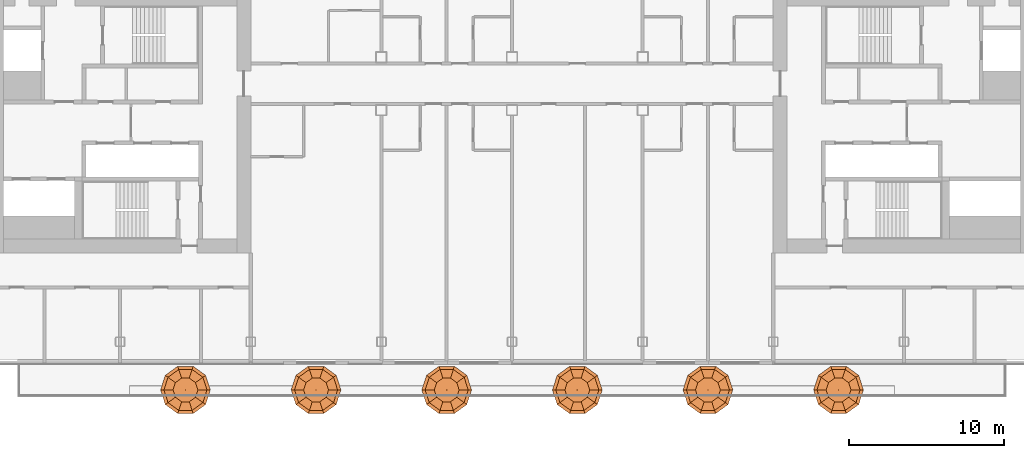
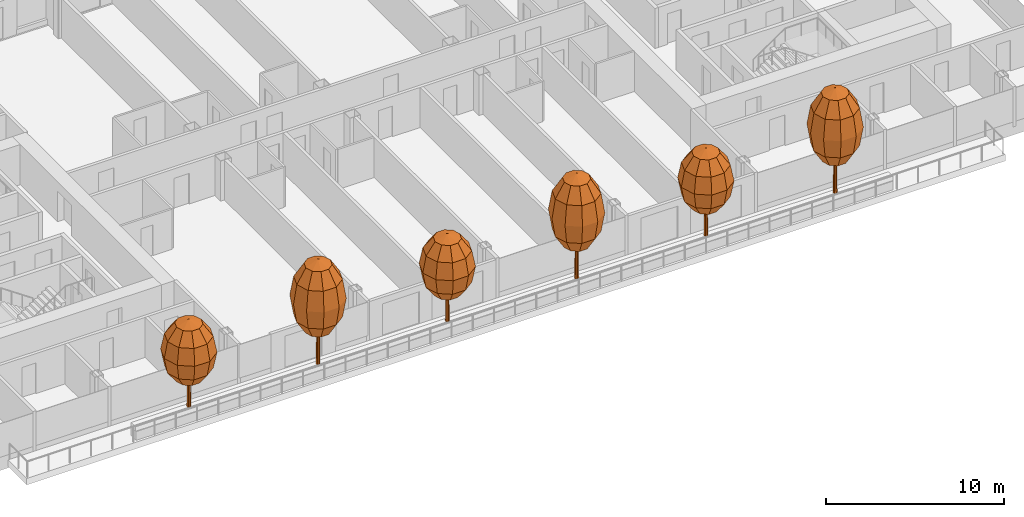
# One storey, part 27 of 28: 6 geographic elements.
"""IFC4 building model written with IfcOpenShell, lengths in metres."""

from ifc_helpers import new_model, si_unit, direction, frame, origin, place, context, subcontext, project, spatial, triangles, material, type_object, element, save


model = new_model("IFC4")

# Units and contexts
model_context = context("Model", 3, precision=1e-05, world=origin(), true_north=direction((0.0, 1.0)))
body_context = subcontext(model_context, "Body", "Model", "MODEL_VIEW")
ifc_project = project(units=[si_unit("LENGTHUNIT", "METRE"), si_unit("AREAUNIT", "SQUARE_METRE"), si_unit("VOLUMEUNIT", "CUBIC_METRE"), si_unit("PLANEANGLEUNIT", "RADIAN"), si_unit("MASSUNIT", "GRAM", prefix="KILO")], contexts=[model_context])

# Site, building, storey
site_placement = place(None, origin())
site = spatial("IfcSite", under=ifc_project, at=site_placement, CompositionType="ELEMENT")
building_placement = place(site_placement, origin())
building = spatial("IfcBuilding", under=site, at=building_placement, Name="Hakoniwa Tower and Hamabe Station Hall", CompositionType="ELEMENT")
storey_placement = place(building_placement, frame((0.0, 0.0, 193.0)))
storey = spatial("IfcBuildingStorey", under=building, at=storey_placement, Name="L54", CompositionType="ELEMENT", Elevation=193.0)

# Geographic elements
ifc_material_1 = material(Name="Tree foliage")
geographic_element_type_1 = type_object("IfcGeographicElementType", Name="Japanese maple 7.2 m", PredefinedType="USERDEFINED", material=ifc_material_1)
geographic_element_1_placement = place(storey_placement, frame((-12.60009765625, -17.199951171875, 0.89990234375)))
element("IfcGeographicElement", 1, at=geographic_element_1_placement, inside=storey, type_object=geographic_element_type_1, Name="Japanese maple 7-2 m", ObjectType="TREE", PredefinedType="USERDEFINED", context=body_context, shape_type="Tessellation", body=[
    triangles([(0.125, 0.0, 0.0), (0.08837890625, 0.08837890625, 0.0), (0.0, 0.125, 0.0), (-0.08837890625, 0.08837890625, 0.0), (-0.125, 0.0, 0.0), (-0.08837890625, -0.08837890625, 0.0), (0.0, -0.125, 0.0), (0.08837890625, -0.08837890625, 0.0), (0.074951171875, 0.0, 4.348876953125), (0.052978515625, 0.052978515625, 4.348876953125), (0.0, 0.074951171875, 4.348876953125), (-0.052978515625, 0.052978515625, 4.348876953125), (-0.074951171875, 0.0, 4.348876953125), (-0.052978515625, -0.052978515625, 4.348876953125), (0.0, -0.074951171875, 4.348876953125), (0.052978515625, -0.052978515625, 4.348876953125), (0.0, 0.0, 0.0), (0.0, 0.0, 4.348876953125)], [[1, 2, 10], [1, 10, 9], [17, 2, 1], [18, 9, 10], [2, 3, 11], [2, 11, 10], [17, 3, 2], [18, 10, 11], [3, 4, 12], [3, 12, 11], [17, 4, 3], [18, 11, 12], [4, 5, 13], [4, 13, 12], [17, 5, 4], [18, 12, 13], [5, 6, 14], [5, 14, 13], [17, 6, 5], [18, 13, 14], [6, 7, 15], [6, 15, 14], [17, 7, 6], [18, 14, 15], [7, 8, 16], [7, 16, 15], [17, 8, 7], [18, 15, 16], [8, 1, 9], [8, 9, 16], [17, 1, 8], [18, 16, 9]], closed=True),
    triangles([(0.0, 0.0, 2.015869140625), (0.800048828125, 0.0, 2.36328125), (0.647216796875, 0.47021484375, 2.36328125), (0.247314453125, 0.7607421875, 2.36328125), (-0.247314453125, 0.7607421875, 2.36328125), (-0.647216796875, 0.47021484375, 2.36328125), (-0.800048828125, 0.0, 2.36328125), (-0.647216796875, -0.47021484375, 2.36328125), (-0.247314453125, -0.7607421875, 2.36328125), (0.247314453125, -0.7607421875, 2.36328125), (0.647216796875, -0.47021484375, 2.36328125), (1.385498046875, 0.0, 3.31201171875), (1.12109375, 0.814453125, 3.31201171875), (0.42822265625, 1.31787109375, 3.31201171875), (-0.42822265625, 1.31787109375, 3.31201171875), (-1.12109375, 0.814453125, 3.31201171875), (-1.385498046875, 0.0, 3.31201171875), (-1.12109375, -0.814453125, 3.31201171875), (-0.42822265625, -1.31787109375, 3.31201171875), (0.42822265625, -1.31787109375, 3.31201171875), (1.12109375, -0.814453125, 3.31201171875), (1.60009765625, 0.0, 4.60791015625), (1.29443359375, 0.9404296875, 4.60791015625), (0.494384765625, 1.521728515625, 4.60791015625), (-0.494384765625, 1.521728515625, 4.60791015625), (-1.29443359375, 0.9404296875, 4.60791015625), (-1.60009765625, 0.0, 4.60791015625), (-1.29443359375, -0.9404296875, 4.60791015625), (-0.494384765625, -1.521728515625, 4.60791015625), (0.494384765625, -1.521728515625, 4.60791015625), (1.29443359375, -0.9404296875, 4.60791015625), (1.385498046875, 0.0, 5.904052734375), (1.12109375, 0.814453125, 5.904052734375), (0.42822265625, 1.31787109375, 5.904052734375), (-0.42822265625, 1.31787109375, 5.904052734375), (-1.12109375, 0.814453125, 5.904052734375), (-1.385498046875, 0.0, 5.904052734375), (-1.12109375, -0.814453125, 5.904052734375), (-0.42822265625, -1.31787109375, 5.904052734375), (0.42822265625, -1.31787109375, 5.904052734375), (1.12109375, -0.814453125, 5.904052734375), (0.800048828125, 0.0, 6.852783203125), (0.647216796875, 0.47021484375, 6.852783203125), (0.247314453125, 0.7607421875, 6.852783203125), (-0.247314453125, 0.7607421875, 6.852783203125), (-0.647216796875, 0.47021484375, 6.852783203125), (-0.800048828125, 0.0, 6.852783203125), (-0.647216796875, -0.47021484375, 6.852783203125), (-0.247314453125, -0.7607421875, 6.852783203125), (0.247314453125, -0.7607421875, 6.852783203125), (0.647216796875, -0.47021484375, 6.852783203125), (0.0, 0.0, 7.199951171875)], [[1, 3, 2], [1, 4, 3], [1, 5, 4], [1, 6, 5], [1, 7, 6], [1, 8, 7], [1, 9, 8], [1, 10, 9], [1, 11, 10], [1, 2, 11], [2, 3, 13], [2, 13, 12], [3, 4, 14], [3, 14, 13], [4, 5, 15], [4, 15, 14], [5, 6, 16], [5, 16, 15], [6, 7, 17], [6, 17, 16], [7, 8, 18], [7, 18, 17], [8, 9, 19], [8, 19, 18], [9, 10, 20], [9, 20, 19], [10, 11, 21], [10, 21, 20], [11, 2, 12], [11, 12, 21], [12, 13, 23], [12, 23, 22], [13, 14, 24], [13, 24, 23], [14, 15, 25], [14, 25, 24], [15, 16, 26], [15, 26, 25], [16, 17, 27], [16, 27, 26], [17, 18, 28], [17, 28, 27], [18, 19, 29], [18, 29, 28], [19, 20, 30], [19, 30, 29], [20, 21, 31], [20, 31, 30], [21, 12, 22], [21, 22, 31], [22, 23, 33], [22, 33, 32], [23, 24, 34], [23, 34, 33], [24, 25, 35], [24, 35, 34], [25, 26, 36], [25, 36, 35], [26, 27, 37], [26, 37, 36], [27, 28, 38], [27, 38, 37], [28, 29, 39], [28, 39, 38], [29, 30, 40], [29, 40, 39], [30, 31, 41], [30, 41, 40], [31, 22, 32], [31, 32, 41], [32, 33, 43], [32, 43, 42], [33, 34, 44], [33, 44, 43], [34, 35, 45], [34, 45, 44], [35, 36, 46], [35, 46, 45], [36, 37, 47], [36, 47, 46], [37, 38, 48], [37, 48, 47], [38, 39, 49], [38, 49, 48], [39, 40, 50], [39, 50, 49], [40, 41, 51], [40, 51, 50], [41, 32, 42], [41, 42, 51], [52, 42, 43], [52, 43, 44], [52, 44, 45], [52, 45, 46], [52, 46, 47], [52, 47, 48], [52, 48, 49], [52, 49, 50], [52, 50, 51], [52, 51, 42]], closed=True),
])
geographic_element_2_placement = place(storey_placement, frame((4.199951171875, -17.199951171875, 0.89990234375)))
element("IfcGeographicElement", 2, at=geographic_element_2_placement, inside=storey, type_object=geographic_element_type_1, Name="Japanese maple 7-2 m", ObjectType="TREE", PredefinedType="USERDEFINED", context=body_context, shape_type="Tessellation", body=[
    triangles([(0.125, 0.0, 0.0), (0.08837890625, 0.08837890625, 0.0), (0.0, 0.125, 0.0), (-0.08837890625, 0.08837890625, 0.0), (-0.125, 0.0, 0.0), (-0.08837890625, -0.08837890625, 0.0), (0.0, -0.125, 0.0), (0.08837890625, -0.08837890625, 0.0), (0.074951171875, 0.0, 4.348876953125), (0.052978515625, 0.052978515625, 4.348876953125), (0.0, 0.074951171875, 4.348876953125), (-0.052978515625, 0.052978515625, 4.348876953125), (-0.074951171875, 0.0, 4.348876953125), (-0.052978515625, -0.052978515625, 4.348876953125), (0.0, -0.074951171875, 4.348876953125), (0.052978515625, -0.052978515625, 4.348876953125), (0.0, 0.0, 0.0), (0.0, 0.0, 4.348876953125)], [[1, 2, 10], [1, 10, 9], [17, 2, 1], [18, 9, 10], [2, 3, 11], [2, 11, 10], [17, 3, 2], [18, 10, 11], [3, 4, 12], [3, 12, 11], [17, 4, 3], [18, 11, 12], [4, 5, 13], [4, 13, 12], [17, 5, 4], [18, 12, 13], [5, 6, 14], [5, 14, 13], [17, 6, 5], [18, 13, 14], [6, 7, 15], [6, 15, 14], [17, 7, 6], [18, 14, 15], [7, 8, 16], [7, 16, 15], [17, 8, 7], [18, 15, 16], [8, 1, 9], [8, 9, 16], [17, 1, 8], [18, 16, 9]], closed=True),
    triangles([(0.0, 0.0, 2.015869140625), (0.800048828125, 0.0, 2.36328125), (0.647216796875, 0.47021484375, 2.36328125), (0.247314453125, 0.7607421875, 2.36328125), (-0.247314453125, 0.7607421875, 2.36328125), (-0.647216796875, 0.47021484375, 2.36328125), (-0.800048828125, 0.0, 2.36328125), (-0.647216796875, -0.47021484375, 2.36328125), (-0.247314453125, -0.7607421875, 2.36328125), (0.247314453125, -0.7607421875, 2.36328125), (0.647216796875, -0.47021484375, 2.36328125), (1.385498046875, 0.0, 3.31201171875), (1.12109375, 0.814453125, 3.31201171875), (0.42822265625, 1.31787109375, 3.31201171875), (-0.42822265625, 1.31787109375, 3.31201171875), (-1.12109375, 0.814453125, 3.31201171875), (-1.385498046875, 0.0, 3.31201171875), (-1.12109375, -0.814453125, 3.31201171875), (-0.42822265625, -1.31787109375, 3.31201171875), (0.42822265625, -1.31787109375, 3.31201171875), (1.12109375, -0.814453125, 3.31201171875), (1.60009765625, 0.0, 4.60791015625), (1.29443359375, 0.9404296875, 4.60791015625), (0.494384765625, 1.521728515625, 4.60791015625), (-0.494384765625, 1.521728515625, 4.60791015625), (-1.29443359375, 0.9404296875, 4.60791015625), (-1.60009765625, 0.0, 4.60791015625), (-1.29443359375, -0.9404296875, 4.60791015625), (-0.494384765625, -1.521728515625, 4.60791015625), (0.494384765625, -1.521728515625, 4.60791015625), (1.29443359375, -0.9404296875, 4.60791015625), (1.385498046875, 0.0, 5.904052734375), (1.12109375, 0.814453125, 5.904052734375), (0.42822265625, 1.31787109375, 5.904052734375), (-0.42822265625, 1.31787109375, 5.904052734375), (-1.12109375, 0.814453125, 5.904052734375), (-1.385498046875, 0.0, 5.904052734375), (-1.12109375, -0.814453125, 5.904052734375), (-0.42822265625, -1.31787109375, 5.904052734375), (0.42822265625, -1.31787109375, 5.904052734375), (1.12109375, -0.814453125, 5.904052734375), (0.800048828125, 0.0, 6.852783203125), (0.647216796875, 0.47021484375, 6.852783203125), (0.247314453125, 0.7607421875, 6.852783203125), (-0.247314453125, 0.7607421875, 6.852783203125), (-0.647216796875, 0.47021484375, 6.852783203125), (-0.800048828125, 0.0, 6.852783203125), (-0.647216796875, -0.47021484375, 6.852783203125), (-0.247314453125, -0.7607421875, 6.852783203125), (0.247314453125, -0.7607421875, 6.852783203125), (0.647216796875, -0.47021484375, 6.852783203125), (0.0, 0.0, 7.199951171875)], [[1, 3, 2], [1, 4, 3], [1, 5, 4], [1, 6, 5], [1, 7, 6], [1, 8, 7], [1, 9, 8], [1, 10, 9], [1, 11, 10], [1, 2, 11], [2, 3, 13], [2, 13, 12], [3, 4, 14], [3, 14, 13], [4, 5, 15], [4, 15, 14], [5, 6, 16], [5, 16, 15], [6, 7, 17], [6, 17, 16], [7, 8, 18], [7, 18, 17], [8, 9, 19], [8, 19, 18], [9, 10, 20], [9, 20, 19], [10, 11, 21], [10, 21, 20], [11, 2, 12], [11, 12, 21], [12, 13, 23], [12, 23, 22], [13, 14, 24], [13, 24, 23], [14, 15, 25], [14, 25, 24], [15, 16, 26], [15, 26, 25], [16, 17, 27], [16, 27, 26], [17, 18, 28], [17, 28, 27], [18, 19, 29], [18, 29, 28], [19, 20, 30], [19, 30, 29], [20, 21, 31], [20, 31, 30], [21, 12, 22], [21, 22, 31], [22, 23, 33], [22, 33, 32], [23, 24, 34], [23, 34, 33], [24, 25, 35], [24, 35, 34], [25, 26, 36], [25, 36, 35], [26, 27, 37], [26, 37, 36], [27, 28, 38], [27, 38, 37], [28, 29, 39], [28, 39, 38], [29, 30, 40], [29, 40, 39], [30, 31, 41], [30, 41, 40], [31, 22, 32], [31, 32, 41], [32, 33, 43], [32, 43, 42], [33, 34, 44], [33, 44, 43], [34, 35, 45], [34, 45, 44], [35, 36, 46], [35, 46, 45], [36, 37, 47], [36, 47, 46], [37, 38, 48], [37, 48, 47], [38, 39, 49], [38, 49, 48], [39, 40, 50], [39, 50, 49], [40, 41, 51], [40, 51, 50], [41, 32, 42], [41, 42, 51], [52, 42, 43], [52, 43, 44], [52, 44, 45], [52, 45, 46], [52, 46, 47], [52, 47, 48], [52, 48, 49], [52, 49, 50], [52, 50, 51], [52, 51, 42]], closed=True),
])
geographic_element_3_placement = place(storey_placement, frame((21.0, -17.199951171875, 0.89990234375)))
element("IfcGeographicElement", 3, at=geographic_element_3_placement, inside=storey, type_object=geographic_element_type_1, Name="Japanese maple 7-2 m", ObjectType="TREE", PredefinedType="USERDEFINED", context=body_context, shape_type="Tessellation", body=[
    triangles([(0.125, 0.0, 0.0), (0.08837890625, 0.08837890625, 0.0), (0.0, 0.125, 0.0), (-0.08837890625, 0.08837890625, 0.0), (-0.125, 0.0, 0.0), (-0.08837890625, -0.08837890625, 0.0), (0.0, -0.125, 0.0), (0.08837890625, -0.08837890625, 0.0), (0.074951171875, 0.0, 4.348876953125), (0.052978515625, 0.052978515625, 4.348876953125), (0.0, 0.074951171875, 4.348876953125), (-0.052978515625, 0.052978515625, 4.348876953125), (-0.074951171875, 0.0, 4.348876953125), (-0.052978515625, -0.052978515625, 4.348876953125), (0.0, -0.074951171875, 4.348876953125), (0.052978515625, -0.052978515625, 4.348876953125), (0.0, 0.0, 0.0), (0.0, 0.0, 4.348876953125)], [[1, 2, 10], [1, 10, 9], [17, 2, 1], [18, 9, 10], [2, 3, 11], [2, 11, 10], [17, 3, 2], [18, 10, 11], [3, 4, 12], [3, 12, 11], [17, 4, 3], [18, 11, 12], [4, 5, 13], [4, 13, 12], [17, 5, 4], [18, 12, 13], [5, 6, 14], [5, 14, 13], [17, 6, 5], [18, 13, 14], [6, 7, 15], [6, 15, 14], [17, 7, 6], [18, 14, 15], [7, 8, 16], [7, 16, 15], [17, 8, 7], [18, 15, 16], [8, 1, 9], [8, 9, 16], [17, 1, 8], [18, 16, 9]], closed=True),
    triangles([(0.0, 0.0, 2.015869140625), (0.800048828125, 0.0, 2.36328125), (0.647216796875, 0.47021484375, 2.36328125), (0.247314453125, 0.7607421875, 2.36328125), (-0.247314453125, 0.7607421875, 2.36328125), (-0.647216796875, 0.47021484375, 2.36328125), (-0.800048828125, 0.0, 2.36328125), (-0.647216796875, -0.47021484375, 2.36328125), (-0.247314453125, -0.7607421875, 2.36328125), (0.247314453125, -0.7607421875, 2.36328125), (0.647216796875, -0.47021484375, 2.36328125), (1.385498046875, 0.0, 3.31201171875), (1.12109375, 0.814453125, 3.31201171875), (0.42822265625, 1.31787109375, 3.31201171875), (-0.42822265625, 1.31787109375, 3.31201171875), (-1.12109375, 0.814453125, 3.31201171875), (-1.385498046875, 0.0, 3.31201171875), (-1.12109375, -0.814453125, 3.31201171875), (-0.42822265625, -1.31787109375, 3.31201171875), (0.42822265625, -1.31787109375, 3.31201171875), (1.12109375, -0.814453125, 3.31201171875), (1.60009765625, 0.0, 4.60791015625), (1.29443359375, 0.9404296875, 4.60791015625), (0.494384765625, 1.521728515625, 4.60791015625), (-0.494384765625, 1.521728515625, 4.60791015625), (-1.29443359375, 0.9404296875, 4.60791015625), (-1.60009765625, 0.0, 4.60791015625), (-1.29443359375, -0.9404296875, 4.60791015625), (-0.494384765625, -1.521728515625, 4.60791015625), (0.494384765625, -1.521728515625, 4.60791015625), (1.29443359375, -0.9404296875, 4.60791015625), (1.385498046875, 0.0, 5.904052734375), (1.12109375, 0.814453125, 5.904052734375), (0.42822265625, 1.31787109375, 5.904052734375), (-0.42822265625, 1.31787109375, 5.904052734375), (-1.12109375, 0.814453125, 5.904052734375), (-1.385498046875, 0.0, 5.904052734375), (-1.12109375, -0.814453125, 5.904052734375), (-0.42822265625, -1.31787109375, 5.904052734375), (0.42822265625, -1.31787109375, 5.904052734375), (1.12109375, -0.814453125, 5.904052734375), (0.800048828125, 0.0, 6.852783203125), (0.647216796875, 0.47021484375, 6.852783203125), (0.247314453125, 0.7607421875, 6.852783203125), (-0.247314453125, 0.7607421875, 6.852783203125), (-0.647216796875, 0.47021484375, 6.852783203125), (-0.800048828125, 0.0, 6.852783203125), (-0.647216796875, -0.47021484375, 6.852783203125), (-0.247314453125, -0.7607421875, 6.852783203125), (0.247314453125, -0.7607421875, 6.852783203125), (0.647216796875, -0.47021484375, 6.852783203125), (0.0, 0.0, 7.199951171875)], [[1, 3, 2], [1, 4, 3], [1, 5, 4], [1, 6, 5], [1, 7, 6], [1, 8, 7], [1, 9, 8], [1, 10, 9], [1, 11, 10], [1, 2, 11], [2, 3, 13], [2, 13, 12], [3, 4, 14], [3, 14, 13], [4, 5, 15], [4, 15, 14], [5, 6, 16], [5, 16, 15], [6, 7, 17], [6, 17, 16], [7, 8, 18], [7, 18, 17], [8, 9, 19], [8, 19, 18], [9, 10, 20], [9, 20, 19], [10, 11, 21], [10, 21, 20], [11, 2, 12], [11, 12, 21], [12, 13, 23], [12, 23, 22], [13, 14, 24], [13, 24, 23], [14, 15, 25], [14, 25, 24], [15, 16, 26], [15, 26, 25], [16, 17, 27], [16, 27, 26], [17, 18, 28], [17, 28, 27], [18, 19, 29], [18, 29, 28], [19, 20, 30], [19, 30, 29], [20, 21, 31], [20, 31, 30], [21, 12, 22], [21, 22, 31], [22, 23, 33], [22, 33, 32], [23, 24, 34], [23, 34, 33], [24, 25, 35], [24, 35, 34], [25, 26, 36], [25, 36, 35], [26, 27, 37], [26, 37, 36], [27, 28, 38], [27, 38, 37], [28, 29, 39], [28, 39, 38], [29, 30, 40], [29, 40, 39], [30, 31, 41], [30, 41, 40], [31, 22, 32], [31, 32, 41], [32, 33, 43], [32, 43, 42], [33, 34, 44], [33, 44, 43], [34, 35, 45], [34, 45, 44], [35, 36, 46], [35, 46, 45], [36, 37, 47], [36, 47, 46], [37, 38, 48], [37, 48, 47], [38, 39, 49], [38, 49, 48], [39, 40, 50], [39, 50, 49], [40, 41, 51], [40, 51, 50], [41, 32, 42], [41, 42, 51], [52, 42, 43], [52, 43, 44], [52, 44, 45], [52, 45, 46], [52, 46, 47], [52, 47, 48], [52, 48, 49], [52, 49, 50], [52, 50, 51], [52, 51, 42]], closed=True),
])
ifc_material_2 = material(Name="Tree foliage")
geographic_element_type_2 = type_object("IfcGeographicElementType", Name="Osmanthus 6.0 m", PredefinedType="USERDEFINED", material=ifc_material_2)
geographic_element_4_placement = place(storey_placement, frame((-21.0, -17.199951171875, 0.89990234375)))
element("IfcGeographicElement", 4, at=geographic_element_4_placement, inside=storey, type_object=geographic_element_type_2, Name="Osmanthus 6-0 m", ObjectType="TREE", PredefinedType="USERDEFINED", context=body_context, shape_type="Tessellation", body=[
    triangles([(0.125, 0.0, 0.0), (0.08837890625, 0.08837890625, 0.0), (0.0, 0.125, 0.0), (-0.08837890625, 0.08837890625, 0.0), (-0.125, 0.0, 0.0), (-0.08837890625, -0.08837890625, 0.0), (0.0, -0.125, 0.0), (0.08837890625, -0.08837890625, 0.0), (0.074951171875, 0.0, 3.6240234375), (0.052978515625, 0.052978515625, 3.6240234375), (0.0, 0.074951171875, 3.6240234375), (-0.052978515625, 0.052978515625, 3.6240234375), (-0.074951171875, 0.0, 3.6240234375), (-0.052978515625, -0.052978515625, 3.6240234375), (0.0, -0.074951171875, 3.6240234375), (0.052978515625, -0.052978515625, 3.6240234375), (0.0, 0.0, 0.0), (0.0, 0.0, 3.6240234375)], [[1, 2, 10], [1, 10, 9], [17, 2, 1], [18, 9, 10], [2, 3, 11], [2, 11, 10], [17, 3, 2], [18, 10, 11], [3, 4, 12], [3, 12, 11], [17, 4, 3], [18, 11, 12], [4, 5, 13], [4, 13, 12], [17, 5, 4], [18, 12, 13], [5, 6, 14], [5, 14, 13], [17, 6, 5], [18, 13, 14], [6, 7, 15], [6, 15, 14], [17, 7, 6], [18, 14, 15], [7, 8, 16], [7, 16, 15], [17, 8, 7], [18, 15, 16], [8, 1, 9], [8, 9, 16], [17, 1, 8], [18, 16, 9]], closed=True),
    triangles([(0.0, 0.0, 1.679931640625), (0.800048828125, 0.0, 1.969482421875), (0.647216796875, 0.47021484375, 1.969482421875), (0.247314453125, 0.7607421875, 1.969482421875), (-0.247314453125, 0.7607421875, 1.969482421875), (-0.647216796875, 0.47021484375, 1.969482421875), (-0.800048828125, 0.0, 1.969482421875), (-0.647216796875, -0.47021484375, 1.969482421875), (-0.247314453125, -0.7607421875, 1.969482421875), (0.247314453125, -0.7607421875, 1.969482421875), (0.647216796875, -0.47021484375, 1.969482421875), (1.385498046875, 0.0, 2.760009765625), (1.12109375, 0.814453125, 2.760009765625), (0.42822265625, 1.31787109375, 2.760009765625), (-0.42822265625, 1.31787109375, 2.760009765625), (-1.12109375, 0.814453125, 2.760009765625), (-1.385498046875, 0.0, 2.760009765625), (-1.12109375, -0.814453125, 2.760009765625), (-0.42822265625, -1.31787109375, 2.760009765625), (0.42822265625, -1.31787109375, 2.760009765625), (1.12109375, -0.814453125, 2.760009765625), (1.60009765625, 0.0, 3.840087890625), (1.29443359375, 0.9404296875, 3.840087890625), (0.494384765625, 1.521728515625, 3.840087890625), (-0.494384765625, 1.521728515625, 3.840087890625), (-1.29443359375, 0.9404296875, 3.840087890625), (-1.60009765625, 0.0, 3.840087890625), (-1.29443359375, -0.9404296875, 3.840087890625), (-0.494384765625, -1.521728515625, 3.840087890625), (0.494384765625, -1.521728515625, 3.840087890625), (1.29443359375, -0.9404296875, 3.840087890625), (1.385498046875, 0.0, 4.919921875), (1.12109375, 0.814453125, 4.919921875), (0.42822265625, 1.31787109375, 4.919921875), (-0.42822265625, 1.31787109375, 4.919921875), (-1.12109375, 0.814453125, 4.919921875), (-1.385498046875, 0.0, 4.919921875), (-1.12109375, -0.814453125, 4.919921875), (-0.42822265625, -1.31787109375, 4.919921875), (0.42822265625, -1.31787109375, 4.919921875), (1.12109375, -0.814453125, 4.919921875), (0.800048828125, 0.0, 5.710693359375), (0.647216796875, 0.47021484375, 5.710693359375), (0.247314453125, 0.7607421875, 5.710693359375), (-0.247314453125, 0.7607421875, 5.710693359375), (-0.647216796875, 0.47021484375, 5.710693359375), (-0.800048828125, 0.0, 5.710693359375), (-0.647216796875, -0.47021484375, 5.710693359375), (-0.247314453125, -0.7607421875, 5.710693359375), (0.247314453125, -0.7607421875, 5.710693359375), (0.647216796875, -0.47021484375, 5.710693359375), (0.0, 0.0, 6.0)], [[1, 3, 2], [1, 4, 3], [1, 5, 4], [1, 6, 5], [1, 7, 6], [1, 8, 7], [1, 9, 8], [1, 10, 9], [1, 11, 10], [1, 2, 11], [2, 3, 13], [2, 13, 12], [3, 4, 14], [3, 14, 13], [4, 5, 15], [4, 15, 14], [5, 6, 16], [5, 16, 15], [6, 7, 17], [6, 17, 16], [7, 8, 18], [7, 18, 17], [8, 9, 19], [8, 19, 18], [9, 10, 20], [9, 20, 19], [10, 11, 21], [10, 21, 20], [11, 2, 12], [11, 12, 21], [12, 13, 23], [12, 23, 22], [13, 14, 24], [13, 24, 23], [14, 15, 25], [14, 25, 24], [15, 16, 26], [15, 26, 25], [16, 17, 27], [16, 27, 26], [17, 18, 28], [17, 28, 27], [18, 19, 29], [18, 29, 28], [19, 20, 30], [19, 30, 29], [20, 21, 31], [20, 31, 30], [21, 12, 22], [21, 22, 31], [22, 23, 33], [22, 33, 32], [23, 24, 34], [23, 34, 33], [24, 25, 35], [24, 35, 34], [25, 26, 36], [25, 36, 35], [26, 27, 37], [26, 37, 36], [27, 28, 38], [27, 38, 37], [28, 29, 39], [28, 39, 38], [29, 30, 40], [29, 40, 39], [30, 31, 41], [30, 41, 40], [31, 22, 32], [31, 32, 41], [32, 33, 43], [32, 43, 42], [33, 34, 44], [33, 44, 43], [34, 35, 45], [34, 45, 44], [35, 36, 46], [35, 46, 45], [36, 37, 47], [36, 47, 46], [37, 38, 48], [37, 48, 47], [38, 39, 49], [38, 49, 48], [39, 40, 50], [39, 50, 49], [40, 41, 51], [40, 51, 50], [41, 32, 42], [41, 42, 51], [52, 42, 43], [52, 43, 44], [52, 44, 45], [52, 45, 46], [52, 46, 47], [52, 47, 48], [52, 48, 49], [52, 49, 50], [52, 50, 51], [52, 51, 42]], closed=True),
])
geographic_element_5_placement = place(storey_placement, frame((-4.199951171875, -17.199951171875, 0.89990234375)))
element("IfcGeographicElement", 5, at=geographic_element_5_placement, inside=storey, type_object=geographic_element_type_2, Name="Osmanthus 6-0 m", ObjectType="TREE", PredefinedType="USERDEFINED", context=body_context, shape_type="Tessellation", body=[
    triangles([(0.125, 0.0, 0.0), (0.08837890625, 0.08837890625, 0.0), (0.0, 0.125, 0.0), (-0.08837890625, 0.08837890625, 0.0), (-0.125, 0.0, 0.0), (-0.08837890625, -0.08837890625, 0.0), (0.0, -0.125, 0.0), (0.08837890625, -0.08837890625, 0.0), (0.074951171875, 0.0, 3.6240234375), (0.052978515625, 0.052978515625, 3.6240234375), (0.0, 0.074951171875, 3.6240234375), (-0.052978515625, 0.052978515625, 3.6240234375), (-0.074951171875, 0.0, 3.6240234375), (-0.052978515625, -0.052978515625, 3.6240234375), (0.0, -0.074951171875, 3.6240234375), (0.052978515625, -0.052978515625, 3.6240234375), (0.0, 0.0, 0.0), (0.0, 0.0, 3.6240234375)], [[1, 2, 10], [1, 10, 9], [17, 2, 1], [18, 9, 10], [2, 3, 11], [2, 11, 10], [17, 3, 2], [18, 10, 11], [3, 4, 12], [3, 12, 11], [17, 4, 3], [18, 11, 12], [4, 5, 13], [4, 13, 12], [17, 5, 4], [18, 12, 13], [5, 6, 14], [5, 14, 13], [17, 6, 5], [18, 13, 14], [6, 7, 15], [6, 15, 14], [17, 7, 6], [18, 14, 15], [7, 8, 16], [7, 16, 15], [17, 8, 7], [18, 15, 16], [8, 1, 9], [8, 9, 16], [17, 1, 8], [18, 16, 9]], closed=True),
    triangles([(0.0, 0.0, 1.679931640625), (0.800048828125, 0.0, 1.969482421875), (0.647216796875, 0.47021484375, 1.969482421875), (0.247314453125, 0.7607421875, 1.969482421875), (-0.247314453125, 0.7607421875, 1.969482421875), (-0.647216796875, 0.47021484375, 1.969482421875), (-0.800048828125, 0.0, 1.969482421875), (-0.647216796875, -0.47021484375, 1.969482421875), (-0.247314453125, -0.7607421875, 1.969482421875), (0.247314453125, -0.7607421875, 1.969482421875), (0.647216796875, -0.47021484375, 1.969482421875), (1.385498046875, 0.0, 2.760009765625), (1.12109375, 0.814453125, 2.760009765625), (0.42822265625, 1.31787109375, 2.760009765625), (-0.42822265625, 1.31787109375, 2.760009765625), (-1.12109375, 0.814453125, 2.760009765625), (-1.385498046875, 0.0, 2.760009765625), (-1.12109375, -0.814453125, 2.760009765625), (-0.42822265625, -1.31787109375, 2.760009765625), (0.42822265625, -1.31787109375, 2.760009765625), (1.12109375, -0.814453125, 2.760009765625), (1.60009765625, 0.0, 3.840087890625), (1.29443359375, 0.9404296875, 3.840087890625), (0.494384765625, 1.521728515625, 3.840087890625), (-0.494384765625, 1.521728515625, 3.840087890625), (-1.29443359375, 0.9404296875, 3.840087890625), (-1.60009765625, 0.0, 3.840087890625), (-1.29443359375, -0.9404296875, 3.840087890625), (-0.494384765625, -1.521728515625, 3.840087890625), (0.494384765625, -1.521728515625, 3.840087890625), (1.29443359375, -0.9404296875, 3.840087890625), (1.385498046875, 0.0, 4.919921875), (1.12109375, 0.814453125, 4.919921875), (0.42822265625, 1.31787109375, 4.919921875), (-0.42822265625, 1.31787109375, 4.919921875), (-1.12109375, 0.814453125, 4.919921875), (-1.385498046875, 0.0, 4.919921875), (-1.12109375, -0.814453125, 4.919921875), (-0.42822265625, -1.31787109375, 4.919921875), (0.42822265625, -1.31787109375, 4.919921875), (1.12109375, -0.814453125, 4.919921875), (0.800048828125, 0.0, 5.710693359375), (0.647216796875, 0.47021484375, 5.710693359375), (0.247314453125, 0.7607421875, 5.710693359375), (-0.247314453125, 0.7607421875, 5.710693359375), (-0.647216796875, 0.47021484375, 5.710693359375), (-0.800048828125, 0.0, 5.710693359375), (-0.647216796875, -0.47021484375, 5.710693359375), (-0.247314453125, -0.7607421875, 5.710693359375), (0.247314453125, -0.7607421875, 5.710693359375), (0.647216796875, -0.47021484375, 5.710693359375), (0.0, 0.0, 6.0)], [[1, 3, 2], [1, 4, 3], [1, 5, 4], [1, 6, 5], [1, 7, 6], [1, 8, 7], [1, 9, 8], [1, 10, 9], [1, 11, 10], [1, 2, 11], [2, 3, 13], [2, 13, 12], [3, 4, 14], [3, 14, 13], [4, 5, 15], [4, 15, 14], [5, 6, 16], [5, 16, 15], [6, 7, 17], [6, 17, 16], [7, 8, 18], [7, 18, 17], [8, 9, 19], [8, 19, 18], [9, 10, 20], [9, 20, 19], [10, 11, 21], [10, 21, 20], [11, 2, 12], [11, 12, 21], [12, 13, 23], [12, 23, 22], [13, 14, 24], [13, 24, 23], [14, 15, 25], [14, 25, 24], [15, 16, 26], [15, 26, 25], [16, 17, 27], [16, 27, 26], [17, 18, 28], [17, 28, 27], [18, 19, 29], [18, 29, 28], [19, 20, 30], [19, 30, 29], [20, 21, 31], [20, 31, 30], [21, 12, 22], [21, 22, 31], [22, 23, 33], [22, 33, 32], [23, 24, 34], [23, 34, 33], [24, 25, 35], [24, 35, 34], [25, 26, 36], [25, 36, 35], [26, 27, 37], [26, 37, 36], [27, 28, 38], [27, 38, 37], [28, 29, 39], [28, 39, 38], [29, 30, 40], [29, 40, 39], [30, 31, 41], [30, 41, 40], [31, 22, 32], [31, 32, 41], [32, 33, 43], [32, 43, 42], [33, 34, 44], [33, 44, 43], [34, 35, 45], [34, 45, 44], [35, 36, 46], [35, 46, 45], [36, 37, 47], [36, 47, 46], [37, 38, 48], [37, 48, 47], [38, 39, 49], [38, 49, 48], [39, 40, 50], [39, 50, 49], [40, 41, 51], [40, 51, 50], [41, 32, 42], [41, 42, 51], [52, 42, 43], [52, 43, 44], [52, 44, 45], [52, 45, 46], [52, 46, 47], [52, 47, 48], [52, 48, 49], [52, 49, 50], [52, 50, 51], [52, 51, 42]], closed=True),
])
geographic_element_6_placement = place(storey_placement, frame((12.60009765625, -17.199951171875, 0.89990234375)))
element("IfcGeographicElement", 6, at=geographic_element_6_placement, inside=storey, type_object=geographic_element_type_2, Name="Osmanthus 6-0 m", ObjectType="TREE", PredefinedType="USERDEFINED", context=body_context, shape_type="Tessellation", body=[
    triangles([(0.125, 0.0, 0.0), (0.08837890625, 0.08837890625, 0.0), (0.0, 0.125, 0.0), (-0.08837890625, 0.08837890625, 0.0), (-0.125, 0.0, 0.0), (-0.08837890625, -0.08837890625, 0.0), (0.0, -0.125, 0.0), (0.08837890625, -0.08837890625, 0.0), (0.074951171875, 0.0, 3.6240234375), (0.052978515625, 0.052978515625, 3.6240234375), (0.0, 0.074951171875, 3.6240234375), (-0.052978515625, 0.052978515625, 3.6240234375), (-0.074951171875, 0.0, 3.6240234375), (-0.052978515625, -0.052978515625, 3.6240234375), (0.0, -0.074951171875, 3.6240234375), (0.052978515625, -0.052978515625, 3.6240234375), (0.0, 0.0, 0.0), (0.0, 0.0, 3.6240234375)], [[1, 2, 10], [1, 10, 9], [17, 2, 1], [18, 9, 10], [2, 3, 11], [2, 11, 10], [17, 3, 2], [18, 10, 11], [3, 4, 12], [3, 12, 11], [17, 4, 3], [18, 11, 12], [4, 5, 13], [4, 13, 12], [17, 5, 4], [18, 12, 13], [5, 6, 14], [5, 14, 13], [17, 6, 5], [18, 13, 14], [6, 7, 15], [6, 15, 14], [17, 7, 6], [18, 14, 15], [7, 8, 16], [7, 16, 15], [17, 8, 7], [18, 15, 16], [8, 1, 9], [8, 9, 16], [17, 1, 8], [18, 16, 9]], closed=True),
    triangles([(0.0, 0.0, 1.679931640625), (0.800048828125, 0.0, 1.969482421875), (0.647216796875, 0.47021484375, 1.969482421875), (0.247314453125, 0.7607421875, 1.969482421875), (-0.247314453125, 0.7607421875, 1.969482421875), (-0.647216796875, 0.47021484375, 1.969482421875), (-0.800048828125, 0.0, 1.969482421875), (-0.647216796875, -0.47021484375, 1.969482421875), (-0.247314453125, -0.7607421875, 1.969482421875), (0.247314453125, -0.7607421875, 1.969482421875), (0.647216796875, -0.47021484375, 1.969482421875), (1.385498046875, 0.0, 2.760009765625), (1.12109375, 0.814453125, 2.760009765625), (0.42822265625, 1.31787109375, 2.760009765625), (-0.42822265625, 1.31787109375, 2.760009765625), (-1.12109375, 0.814453125, 2.760009765625), (-1.385498046875, 0.0, 2.760009765625), (-1.12109375, -0.814453125, 2.760009765625), (-0.42822265625, -1.31787109375, 2.760009765625), (0.42822265625, -1.31787109375, 2.760009765625), (1.12109375, -0.814453125, 2.760009765625), (1.60009765625, 0.0, 3.840087890625), (1.29443359375, 0.9404296875, 3.840087890625), (0.494384765625, 1.521728515625, 3.840087890625), (-0.494384765625, 1.521728515625, 3.840087890625), (-1.29443359375, 0.9404296875, 3.840087890625), (-1.60009765625, 0.0, 3.840087890625), (-1.29443359375, -0.9404296875, 3.840087890625), (-0.494384765625, -1.521728515625, 3.840087890625), (0.494384765625, -1.521728515625, 3.840087890625), (1.29443359375, -0.9404296875, 3.840087890625), (1.385498046875, 0.0, 4.919921875), (1.12109375, 0.814453125, 4.919921875), (0.42822265625, 1.31787109375, 4.919921875), (-0.42822265625, 1.31787109375, 4.919921875), (-1.12109375, 0.814453125, 4.919921875), (-1.385498046875, 0.0, 4.919921875), (-1.12109375, -0.814453125, 4.919921875), (-0.42822265625, -1.31787109375, 4.919921875), (0.42822265625, -1.31787109375, 4.919921875), (1.12109375, -0.814453125, 4.919921875), (0.800048828125, 0.0, 5.710693359375), (0.647216796875, 0.47021484375, 5.710693359375), (0.247314453125, 0.7607421875, 5.710693359375), (-0.247314453125, 0.7607421875, 5.710693359375), (-0.647216796875, 0.47021484375, 5.710693359375), (-0.800048828125, 0.0, 5.710693359375), (-0.647216796875, -0.47021484375, 5.710693359375), (-0.247314453125, -0.7607421875, 5.710693359375), (0.247314453125, -0.7607421875, 5.710693359375), (0.647216796875, -0.47021484375, 5.710693359375), (0.0, 0.0, 6.0)], [[1, 3, 2], [1, 4, 3], [1, 5, 4], [1, 6, 5], [1, 7, 6], [1, 8, 7], [1, 9, 8], [1, 10, 9], [1, 11, 10], [1, 2, 11], [2, 3, 13], [2, 13, 12], [3, 4, 14], [3, 14, 13], [4, 5, 15], [4, 15, 14], [5, 6, 16], [5, 16, 15], [6, 7, 17], [6, 17, 16], [7, 8, 18], [7, 18, 17], [8, 9, 19], [8, 19, 18], [9, 10, 20], [9, 20, 19], [10, 11, 21], [10, 21, 20], [11, 2, 12], [11, 12, 21], [12, 13, 23], [12, 23, 22], [13, 14, 24], [13, 24, 23], [14, 15, 25], [14, 25, 24], [15, 16, 26], [15, 26, 25], [16, 17, 27], [16, 27, 26], [17, 18, 28], [17, 28, 27], [18, 19, 29], [18, 29, 28], [19, 20, 30], [19, 30, 29], [20, 21, 31], [20, 31, 30], [21, 12, 22], [21, 22, 31], [22, 23, 33], [22, 33, 32], [23, 24, 34], [23, 34, 33], [24, 25, 35], [24, 35, 34], [25, 26, 36], [25, 36, 35], [26, 27, 37], [26, 37, 36], [27, 28, 38], [27, 38, 37], [28, 29, 39], [28, 39, 38], [29, 30, 40], [29, 40, 39], [30, 31, 41], [30, 41, 40], [31, 22, 32], [31, 32, 41], [32, 33, 43], [32, 43, 42], [33, 34, 44], [33, 44, 43], [34, 35, 45], [34, 45, 44], [35, 36, 46], [35, 46, 45], [36, 37, 47], [36, 47, 46], [37, 38, 48], [37, 48, 47], [38, 39, 49], [38, 49, 48], [39, 40, 50], [39, 50, 49], [40, 41, 51], [40, 51, 50], [41, 32, 42], [41, 42, 51], [52, 42, 43], [52, 43, 44], [52, 44, 45], [52, 45, 46], [52, 46, 47], [52, 47, 48], [52, 48, 49], [52, 49, 50], [52, 50, 51], [52, 51, 42]], closed=True),
])

save(model, "model.ifc")
